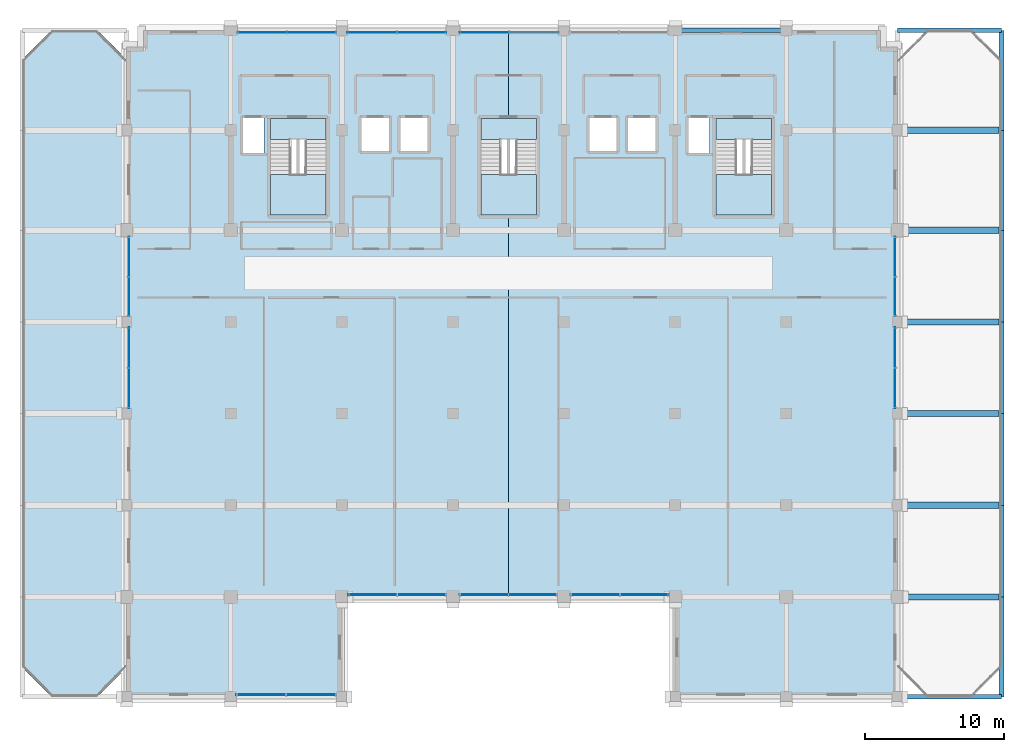
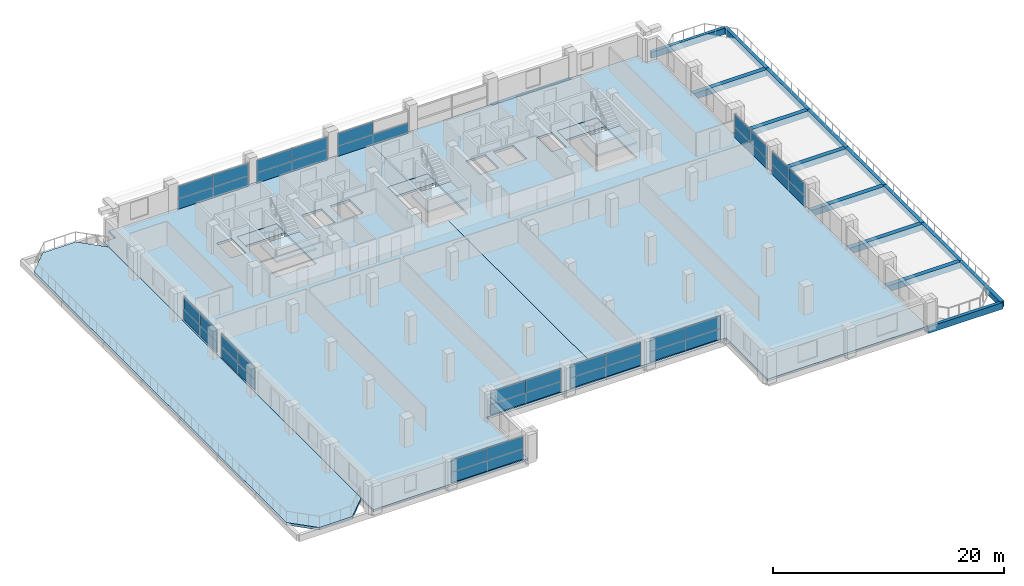
# One storey, part 16 of 22: 32 plates, 16 beams, 9 slabs, 14 elements without a shape of their own.
"""IFC4 building model written with IfcOpenShell, lengths in metres."""

from ifc_helpers import new_model, si_unit, direction, frame, origin, origin_2d, place, context, subcontext, project, spatial, polyline, rectangle, outline, extrude, material, layer, layer_set, material_profile, profile_set, type_object, element, aggregate, save


model = new_model("IFC4")

# Units and contexts
model_context = context("Model", 3, precision=1e-05, world=origin(), true_north=direction((0.0, 1.0)))
body_context = subcontext(model_context, "Body", "Model", "MODEL_VIEW")
ifc_project = project(units=[si_unit("LENGTHUNIT", "METRE"), si_unit("AREAUNIT", "SQUARE_METRE"), si_unit("VOLUMEUNIT", "CUBIC_METRE"), si_unit("PLANEANGLEUNIT", "RADIAN"), si_unit("MASSUNIT", "GRAM", prefix="KILO")], contexts=[model_context])

# Site, building, storey
site_placement = place(None, origin())
site = spatial("IfcSite", under=ifc_project, at=site_placement, CompositionType="ELEMENT")
building_placement = place(site_placement, origin())
building = spatial("IfcBuilding", under=site, at=building_placement, Name="Akrevak Sports Hall", CompositionType="ELEMENT")
storey_placement = place(building_placement, frame((0.0, 0.0, 40.550048828125)))
storey = spatial("IfcBuildingStorey", under=building, at=storey_placement, Name="L09", CompositionType="ELEMENT", Elevation=40.550048828125)

# Beams
ifc_material_1 = material(Name="Concrete C40/50", Category="concrete")
ifc_material_profile_1 = material_profile(ifc_material_1, rectangle(XDim=0.35009765625, YDim=0.60009765625, at=origin_2d()), Name="BM 350x600", Category="concrete")
ifc_profile_set_1 = profile_set([ifc_material_profile_1], Name="Concrete C40/50")
beam_type_1 = type_object("IfcBeamType", Name="STR-BM-RC350x600", PredefinedType="BEAM", material=ifc_profile_set_1)
beam_1_placement = place(storey_placement, frame((115.5, 21.60009765625, -0.300048828125), z_axis=(0.0, 1.0, 0.0), x_axis=(-1.0, 0.0, 0.0)))
element("IfcBeam", 1, at=beam_1_placement, inside=storey, type_object=beam_type_1, Name="Girder 16/D-E (L09)", PredefinedType="BEAM", context=body_context, shape_type="SweptSolid", body=[
    extrude(rectangle(XDim=0.35009765625, YDim=0.60009765625, at=origin_2d()), origin(), (0.0, 0.0, 1.0), 7.199951171875),
])
beam_2_placement = place(storey_placement, frame((115.5, 28.800048828125, -0.300048828125), z_axis=(0.0, 1.0, 0.0), x_axis=(-1.0, 0.0, 0.0)))
element("IfcBeam", 2, at=beam_2_placement, inside=storey, type_object=beam_type_1, Name="Girder 16/E-F (L09)", PredefinedType="BEAM", context=body_context, shape_type="SweptSolid", body=[
    extrude(rectangle(XDim=0.35009765625, YDim=0.60009765625, at=origin_2d()), origin(), (0.0, 0.0, 1.0), 6.599853515625),
])
for number, where, z_axis, x_axis, name in (
    (3, (115.5, 35.39990234375, -0.300048828125), (0.0, 1.0, 0.0), (-1.0, 0.0, 0.0), "Girder 16/F-G (L09)"),
    (4, (115.5, 42.0, -0.300048828125), (0.0, 1.0, 0.0), (-1.0, 0.0, 0.0), "Girder 16/G-H (L09)"),
):
    element("IfcBeam", number, at=place(storey_placement, frame(where, z_axis=z_axis, x_axis=x_axis)), inside=storey, type_object=beam_type_1, Name=name, PredefinedType="BEAM", context=body_context, shape_type="SweptSolid", body=[
        extrude(rectangle(XDim=0.35009765625, YDim=0.60009765625, at=origin_2d()), origin(), (0.0, 0.0, 1.0), 6.60009765625),
    ])
beam_3_placement = place(storey_placement, frame((115.5, 48.60009765625, -0.300048828125), z_axis=(0.0, 1.0, 0.0), x_axis=(-1.0, 0.0, 0.0)))
element("IfcBeam", 5, at=beam_3_placement, inside=storey, type_object=beam_type_1, Name="Girder 16/H-I (L09)", PredefinedType="BEAM", context=body_context, shape_type="SweptSolid", body=[
    extrude(rectangle(XDim=0.35009765625, YDim=0.60009765625, at=origin_2d()), origin(), (0.0, 0.0, 1.0), 6.599853515625),
])
beam_4_placement = place(storey_placement, frame((115.5, 55.199951171875, -0.300048828125), z_axis=(0.0, 1.0, 0.0), x_axis=(-1.0, 0.0, 0.0)))
element("IfcBeam", 6, at=beam_4_placement, inside=storey, type_object=beam_type_1, Name="Girder 16/I-J (L09)", PredefinedType="BEAM", context=body_context, shape_type="SweptSolid", body=[
    extrude(rectangle(XDim=0.35009765625, YDim=0.60009765625, at=origin_2d()), origin(), (0.0, 0.0, 1.0), 7.199951171875),
])
beam_5_placement = place(storey_placement, frame((115.5, 62.39990234375, -0.300048828125), z_axis=(0.0, 1.0, 0.0), x_axis=(-1.0, 0.0, 0.0)))
element("IfcBeam", 7, at=beam_5_placement, inside=storey, type_object=beam_type_1, Name="Girder 16/J-K (L09)", PredefinedType="BEAM", context=body_context, shape_type="SweptSolid", body=[
    extrude(rectangle(XDim=0.35009765625, YDim=0.60009765625, at=origin_2d()), origin(), (0.0, 0.0, 1.0), 7.2001953125),
])
ifc_material_profile_2 = material_profile(ifc_material_1, rectangle(XDim=0.449951171875, YDim=0.64990234375, at=origin_2d()), Name="BM 450x650", Category="concrete")
ifc_profile_set_2 = profile_set([ifc_material_profile_2], Name="Concrete C40/50")
beam_type_2 = type_object("IfcBeamType", Name="STR-BM-RC450x650", PredefinedType="BEAM", material=ifc_profile_set_2)
for number, where, z_axis, x_axis, name in (
    (8, (108.0, 28.800048828125, -0.324951171875), (1.0, 0.0, 0.0), (0.0, 1.0, 0.0), "Girder E/15-16 (L09)"),
    (9, (108.0, 35.39990234375, -0.324951171875), (1.0, 0.0, 0.0), (0.0, 1.0, 0.0), "Girder F/15-16 (L09)"),
    (10, (108.0, 42.0, -0.324951171875), (1.0, 0.0, 0.0), (0.0, 1.0, 0.0), "Girder G/15-16 (L09)"),
    (11, (108.0, 48.60009765625, -0.324951171875), (1.0, 0.0, 0.0), (0.0, 1.0, 0.0), "Girder H/15-16 (L09)"),
    (12, (108.0, 55.199951171875, -0.324951171875), (1.0, 0.0, 0.0), (0.0, 1.0, 0.0), "Girder I/15-16 (L09)"),
    (13, (108.0, 62.39990234375, -0.324951171875), (1.0, 0.0, 0.0), (0.0, 1.0, 0.0), "Girder J/15-16 (L09)"),
):
    element("IfcBeam", number, at=place(storey_placement, frame(where, z_axis=z_axis, x_axis=x_axis)), inside=storey, type_object=beam_type_2, Name=name, PredefinedType="BEAM", context=body_context, shape_type="SweptSolid", body=[
        extrude(rectangle(XDim=0.449951171875, YDim=0.64990234375, at=origin_2d()), origin(), (0.0, 0.0, 1.0), 7.5),
    ])
ifc_material_profile_3 = material_profile(ifc_material_1, rectangle(XDim=0.320068359375, YDim=0.679931640625, at=origin_2d()), Name="SPD 320x680", Category="concrete")
ifc_profile_set_3 = profile_set([ifc_material_profile_3], Name="Concrete C40/50")
beam_type_3 = type_object("IfcBeamType", Name="STR-SPD-RC320x680", PredefinedType="SPANDREL", material=ifc_profile_set_3)
beam_6_placement = place(storey_placement, frame((108.0, 21.60009765625, -0.340087890625), z_axis=(1.0, 0.0, 0.0), x_axis=(0.0, 1.0, 0.0)))
element("IfcBeam", 14, at=beam_6_placement, inside=storey, type_object=beam_type_3, Name="Girder D/15-16 (L09)", PredefinedType="SPANDREL", context=body_context, shape_type="SweptSolid", body=[
    extrude(rectangle(XDim=0.320068359375, YDim=0.679931640625, at=origin_2d()), origin(), (0.0, 0.0, 1.0), 7.5),
])
beam_7_placement = place(storey_placement, frame((92.0, 69.60009765625, -0.340087890625), z_axis=(1.0, 0.0, 0.0), x_axis=(0.0, 1.0, 0.0)))
element("IfcBeam", 15, at=beam_7_placement, inside=storey, type_object=beam_type_3, Name="Girder K/13-14 (L09)", PredefinedType="SPANDREL", context=body_context, shape_type="SweptSolid", body=[
    extrude(rectangle(XDim=0.320068359375, YDim=0.679931640625, at=origin_2d()), origin(), (0.0, 0.0, 1.0), 8.0),
])
beam_8_placement = place(storey_placement, frame((108.0, 69.60009765625, -0.340087890625), z_axis=(1.0, 0.0, 0.0), x_axis=(0.0, 1.0, 0.0)))
element("IfcBeam", 16, at=beam_8_placement, inside=storey, type_object=beam_type_3, Name="Girder K/15-16 (L09)", PredefinedType="SPANDREL", context=body_context, shape_type="SweptSolid", body=[
    extrude(rectangle(XDim=0.320068359375, YDim=0.679931640625, at=origin_2d()), origin(), (0.0, 0.0, 1.0), 7.5),
])

# Curtain wall, plates
ifc_material_2 = material(Name="Anodized Bronze Aluminium & Low-E Glass", Category="aluminium")
curtain_wall_type = type_object("IfcCurtainWallType", Name="ARC-CW-TWR-68x30", PredefinedType="NOTDEFINED", material=ifc_material_2)
curtain_wall_1_placement = place(storey_placement, origin())
curtain_wall_1 = element("IfcCurtainWall", 17, at=curtain_wall_1_placement, inside=storey, type_object=curtain_wall_type, Name="Curtain Wall CW-L09-S02", PredefinedType="NOTDEFINED")
ifc_material_3 = material(Name="Double Low-E Tempered Glass", Category="glass")
ifc_layer_1 = layer(ifc_material_3, 0.031982421875, Name="Double Low-E Tempered Glass")
ifc_layer_set_1 = layer_set([ifc_layer_1], Name="Double Low-E Tempered Glass")
plate_type_1 = type_object("IfcPlateType", Name="ARC-CWP-GLZ-32", PredefinedType="CURTAIN_PANEL", material=ifc_layer_set_1)
plate_1_placement = place(storey_placement, frame((62.199951171875, 21.760009765625, 1.099853515625), z_axis=(0.0, 0.0, 1.0), x_axis=(1.0, 0.0, 0.0)))
plate_1 = element("IfcPlate", 18, at=plate_1_placement, type_object=plate_type_1, Name="Vision Glass Panel CW-L09-S02-G1", PredefinedType="CURTAIN_PANEL", context=body_context, shape_type="SweptSolid", body=[
    extrude(rectangle(XDim=3.60009765625, YDim=0.035888671875, at=origin_2d()), origin(), (0.0, 0.0, 1.0), 1.35009765625),
])
plate_2_placement = place(storey_placement, frame((65.800048828125, 21.760009765625, 1.099853515625), z_axis=(0.0, 0.0, 1.0), x_axis=(1.0, 0.0, 0.0)))
plate_2 = element("IfcPlate", 19, at=plate_2_placement, type_object=plate_type_1, Name="Vision Glass Panel CW-L09-S02-G2", PredefinedType="CURTAIN_PANEL", context=body_context, shape_type="SweptSolid", body=[
    extrude(rectangle(XDim=3.60009765625, YDim=0.035888671875, at=origin_2d()), origin(), (0.0, 0.0, 1.0), 1.35009765625),
])

curtain_wall_2_placement = place(storey_placement, origin())
curtain_wall_2 = element("IfcCurtainWall", 20, at=curtain_wall_2_placement, inside=storey, type_object=curtain_wall_type, Name="Curtain Wall CW-L09-S04", PredefinedType="NOTDEFINED")
plate_3_placement = place(storey_placement, frame((70.237548828125, 28.9599609375, 1.099853515625), z_axis=(0.0, 0.0, 1.0), x_axis=(1.0, 0.0, 0.0)))
plate_3 = element("IfcPlate", 21, at=plate_3_placement, type_object=plate_type_1, Name="Vision Glass Panel CW-L09-S04-G1", PredefinedType="CURTAIN_PANEL", context=body_context, shape_type="SweptSolid", body=[
    extrude(rectangle(XDim=3.52490234375, YDim=0.035888671875, at=origin_2d()), origin(), (0.0, 0.0, 1.0), 1.35009765625),
])
plate_4_placement = place(storey_placement, frame((73.762451171875, 28.9599609375, 1.099853515625), z_axis=(0.0, 0.0, 1.0), x_axis=(1.0, 0.0, 0.0)))
plate_4 = element("IfcPlate", 22, at=plate_4_placement, type_object=plate_type_1, Name="Vision Glass Panel CW-L09-S04-G2", PredefinedType="CURTAIN_PANEL", context=body_context, shape_type="SweptSolid", body=[
    extrude(rectangle(XDim=3.52490234375, YDim=0.035888671875, at=origin_2d()), origin(), (0.0, 0.0, 1.0), 1.35009765625),
])

curtain_wall_3_placement = place(storey_placement, origin())
curtain_wall_3 = element("IfcCurtainWall", 23, at=curtain_wall_3_placement, inside=storey, type_object=curtain_wall_type, Name="Curtain Wall CW-L09-S05", PredefinedType="NOTDEFINED")
plate_5_placement = place(storey_placement, frame((78.237548828125, 28.9599609375, 1.099853515625), z_axis=(0.0, 0.0, 1.0), x_axis=(1.0, 0.0, 0.0)))
plate_5 = element("IfcPlate", 24, at=plate_5_placement, type_object=plate_type_1, Name="Vision Glass Panel CW-L09-S05-G1", PredefinedType="CURTAIN_PANEL", context=body_context, shape_type="SweptSolid", body=[
    extrude(rectangle(XDim=3.52490234375, YDim=0.035888671875, at=origin_2d()), origin(), (0.0, 0.0, 1.0), 1.35009765625),
])
plate_6_placement = place(storey_placement, frame((81.762451171875, 28.9599609375, 1.099853515625), z_axis=(0.0, 0.0, 1.0), x_axis=(1.0, 0.0, 0.0)))
plate_6 = element("IfcPlate", 25, at=plate_6_placement, type_object=plate_type_1, Name="Vision Glass Panel CW-L09-S05-G2", PredefinedType="CURTAIN_PANEL", context=body_context, shape_type="SweptSolid", body=[
    extrude(rectangle(XDim=3.52490234375, YDim=0.035888671875, at=origin_2d()), origin(), (0.0, 0.0, 1.0), 1.35009765625),
])

curtain_wall_4_placement = place(storey_placement, origin())
curtain_wall_4 = element("IfcCurtainWall", 26, at=curtain_wall_4_placement, inside=storey, type_object=curtain_wall_type, Name="Curtain Wall CW-L09-S06", PredefinedType="NOTDEFINED")
plate_7_placement = place(storey_placement, frame((86.237548828125, 28.9599609375, 1.099853515625), z_axis=(0.0, 0.0, 1.0), x_axis=(1.0, 0.0, 0.0)))
plate_7 = element("IfcPlate", 27, at=plate_7_placement, type_object=plate_type_1, Name="Vision Glass Panel CW-L09-S06-G1", PredefinedType="CURTAIN_PANEL", context=body_context, shape_type="SweptSolid", body=[
    extrude(rectangle(XDim=3.52490234375, YDim=0.035888671875, at=origin_2d()), origin(), (0.0, 0.0, 1.0), 1.35009765625),
])
plate_8_placement = place(storey_placement, frame((89.762451171875, 28.9599609375, 1.099853515625), z_axis=(0.0, 0.0, 1.0), x_axis=(1.0, 0.0, 0.0)))
plate_8 = element("IfcPlate", 28, at=plate_8_placement, type_object=plate_type_1, Name="Vision Glass Panel CW-L09-S06-G2", PredefinedType="CURTAIN_PANEL", context=body_context, shape_type="SweptSolid", body=[
    extrude(rectangle(XDim=3.52490234375, YDim=0.035888671875, at=origin_2d()), origin(), (0.0, 0.0, 1.0), 1.35009765625),
])

curtain_wall_5_placement = place(storey_placement, origin())
curtain_wall_5 = element("IfcCurtainWall", 29, at=curtain_wall_5_placement, inside=storey, type_object=curtain_wall_type, Name="Curtain Wall CW-L09-E13", PredefinedType="NOTDEFINED")
plate_9_placement = place(storey_placement, frame((107.840087890625, 43.85009765625, 1.099853515625), z_axis=(0.0, 0.0, 1.0), x_axis=(0.0, 1.0, 0.0)))
plate_9 = element("IfcPlate", 30, at=plate_9_placement, type_object=plate_type_1, Name="Vision Glass Panel CW-L09-E13-G1", PredefinedType="CURTAIN_PANEL", context=body_context, shape_type="SweptSolid", body=[
    extrude(rectangle(XDim=2.89990234375, YDim=0.035888671875, at=origin_2d()), origin(), (0.0, 0.0, 1.0), 1.35009765625),
])
plate_10_placement = place(storey_placement, frame((107.840087890625, 46.75, 1.099853515625), z_axis=(0.0, 0.0, 1.0), x_axis=(0.0, 1.0, 0.0)))
plate_10 = element("IfcPlate", 31, at=plate_10_placement, type_object=plate_type_1, Name="Vision Glass Panel CW-L09-E13-G2", PredefinedType="CURTAIN_PANEL", context=body_context, shape_type="SweptSolid", body=[
    extrude(rectangle(XDim=2.89990234375, YDim=0.035888671875, at=origin_2d()), origin(), (0.0, 0.0, 1.0), 1.35009765625),
])

curtain_wall_6_placement = place(storey_placement, origin())
curtain_wall_6 = element("IfcCurtainWall", 32, at=curtain_wall_6_placement, inside=storey, type_object=curtain_wall_type, Name="Curtain Wall CW-L09-E14", PredefinedType="NOTDEFINED")
plate_11_placement = place(storey_placement, frame((107.840087890625, 50.43115234375, 1.099853515625), z_axis=(0.0, 0.0, 1.0), x_axis=(0.0, 1.0, 0.0)))
plate_11 = element("IfcPlate", 33, at=plate_11_placement, type_object=plate_type_1, Name="Vision Glass Panel CW-L09-E14-G1", PredefinedType="CURTAIN_PANEL", context=body_context, shape_type="SweptSolid", body=[
    extrude(rectangle(XDim=2.862548828125, YDim=0.035888671875, at=origin_2d()), origin(), (0.0, 0.0, 1.0), 1.35009765625),
])
plate_12_placement = place(storey_placement, frame((107.840087890625, 53.293701171875, 1.099853515625), z_axis=(0.0, 0.0, 1.0), x_axis=(0.0, 1.0, 0.0)))
plate_12 = element("IfcPlate", 34, at=plate_12_placement, type_object=plate_type_1, Name="Vision Glass Panel CW-L09-E14-G2", PredefinedType="CURTAIN_PANEL", context=body_context, shape_type="SweptSolid", body=[
    extrude(rectangle(XDim=2.862548828125, YDim=0.035888671875, at=origin_2d()), origin(), (0.0, 0.0, 1.0), 1.35009765625),
])

# Curtain wall, plate
curtain_wall_7_placement = place(storey_placement, origin())
curtain_wall_7 = element("IfcCurtainWall", 35, at=curtain_wall_7_placement, inside=storey, type_object=curtain_wall_type, Name="Curtain Wall CW-L09-N22", PredefinedType="NOTDEFINED")
plate_13_placement = place(storey_placement, frame((78.27490234375, 69.43994140625, 1.099853515625), z_axis=(0.0, 0.0, 1.0), x_axis=(-1.0, 0.0, 0.0)))
plate_13 = element("IfcPlate", 36, at=plate_13_placement, type_object=plate_type_1, Name="Vision Glass Panel CW-L09-N22-G2", PredefinedType="CURTAIN_PANEL", context=body_context, shape_type="SweptSolid", body=[
    extrude(rectangle(XDim=3.550048828125, YDim=0.035888671875, at=origin_2d()), origin(), (0.0, 0.0, 1.0), 1.35009765625),
])

# Curtain wall, plates
curtain_wall_8_placement = place(storey_placement, origin())
curtain_wall_8 = element("IfcCurtainWall", 37, at=curtain_wall_8_placement, inside=storey, type_object=curtain_wall_type, Name="Curtain Wall CW-L09-N23", PredefinedType="NOTDEFINED")
plate_14_placement = place(storey_placement, frame((73.72509765625, 69.43994140625, 1.099853515625), z_axis=(0.0, 0.0, 1.0), x_axis=(-1.0, 0.0, 0.0)))
plate_14 = element("IfcPlate", 38, at=plate_14_placement, type_object=plate_type_1, Name="Vision Glass Panel CW-L09-N23-G1", PredefinedType="CURTAIN_PANEL", context=body_context, shape_type="SweptSolid", body=[
    extrude(rectangle(XDim=3.550048828125, YDim=0.035888671875, at=origin_2d()), origin(), (0.0, 0.0, 1.0), 1.35009765625),
])
plate_15_placement = place(storey_placement, frame((70.175048828125, 69.43994140625, 1.099853515625), z_axis=(0.0, 0.0, 1.0), x_axis=(-1.0, 0.0, 0.0)))
plate_15 = element("IfcPlate", 39, at=plate_15_placement, type_object=plate_type_1, Name="Vision Glass Panel CW-L09-N23-G2", PredefinedType="CURTAIN_PANEL", context=body_context, shape_type="SweptSolid", body=[
    extrude(rectangle(XDim=3.550048828125, YDim=0.035888671875, at=origin_2d()), origin(), (0.0, 0.0, 1.0), 1.35009765625),
])

curtain_wall_9_placement = place(storey_placement, origin())
curtain_wall_9 = element("IfcCurtainWall", 40, at=curtain_wall_9_placement, inside=storey, type_object=curtain_wall_type, Name="Curtain Wall CW-L09-N24", PredefinedType="NOTDEFINED")
plate_16_placement = place(storey_placement, frame((65.824951171875, 69.43994140625, 1.099853515625), z_axis=(0.0, 0.0, 1.0), x_axis=(-1.0, 0.0, 0.0)))
plate_16 = element("IfcPlate", 41, at=plate_16_placement, type_object=plate_type_1, Name="Vision Glass Panel CW-L09-N24-G1", PredefinedType="CURTAIN_PANEL", context=body_context, shape_type="SweptSolid", body=[
    extrude(rectangle(XDim=3.550048828125, YDim=0.035888671875, at=origin_2d()), origin(), (0.0, 0.0, 1.0), 1.35009765625),
])
plate_17_placement = place(storey_placement, frame((62.27490234375, 69.43994140625, 1.099853515625), z_axis=(0.0, 0.0, 1.0), x_axis=(-1.0, 0.0, 0.0)))
plate_17 = element("IfcPlate", 42, at=plate_17_placement, type_object=plate_type_1, Name="Vision Glass Panel CW-L09-N24-G2", PredefinedType="CURTAIN_PANEL", context=body_context, shape_type="SweptSolid", body=[
    extrude(rectangle(XDim=3.550048828125, YDim=0.035888671875, at=origin_2d()), origin(), (0.0, 0.0, 1.0), 1.35009765625),
])

curtain_wall_10_placement = place(storey_placement, origin())
curtain_wall_10 = element("IfcCurtainWall", 43, at=curtain_wall_10_placement, inside=storey, type_object=curtain_wall_type, Name="Curtain Wall CW-L09-W30", PredefinedType="NOTDEFINED")
plate_18_placement = place(storey_placement, frame((52.659912109375, 53.293701171875, 1.099853515625), z_axis=(0.0, 0.0, 1.0), x_axis=(0.0, -1.0, 0.0)))
plate_18 = element("IfcPlate", 44, at=plate_18_placement, type_object=plate_type_1, Name="Vision Glass Panel CW-L09-W30-G1", PredefinedType="CURTAIN_PANEL", context=body_context, shape_type="SweptSolid", body=[
    extrude(rectangle(XDim=2.862548828125, YDim=0.035888671875, at=origin_2d()), origin(), (0.0, 0.0, 1.0), 1.35009765625),
])
plate_19_placement = place(storey_placement, frame((52.659912109375, 50.43115234375, 1.099853515625), z_axis=(0.0, 0.0, 1.0), x_axis=(0.0, -1.0, 0.0)))
plate_19 = element("IfcPlate", 45, at=plate_19_placement, type_object=plate_type_1, Name="Vision Glass Panel CW-L09-W30-G2", PredefinedType="CURTAIN_PANEL", context=body_context, shape_type="SweptSolid", body=[
    extrude(rectangle(XDim=2.862548828125, YDim=0.035888671875, at=origin_2d()), origin(), (0.0, 0.0, 1.0), 1.35009765625),
])

curtain_wall_11_placement = place(storey_placement, origin())
curtain_wall_11 = element("IfcCurtainWall", 46, at=curtain_wall_11_placement, inside=storey, type_object=curtain_wall_type, Name="Curtain Wall CW-L09-W31", PredefinedType="NOTDEFINED")
plate_20_placement = place(storey_placement, frame((52.659912109375, 46.75, 1.099853515625), z_axis=(0.0, 0.0, 1.0), x_axis=(0.0, -1.0, 0.0)))
plate_20 = element("IfcPlate", 47, at=plate_20_placement, type_object=plate_type_1, Name="Vision Glass Panel CW-L09-W31-G1", PredefinedType="CURTAIN_PANEL", context=body_context, shape_type="SweptSolid", body=[
    extrude(rectangle(XDim=2.89990234375, YDim=0.035888671875, at=origin_2d()), origin(), (0.0, 0.0, 1.0), 1.35009765625),
])
plate_21_placement = place(storey_placement, frame((52.659912109375, 43.85009765625, 1.099853515625), z_axis=(0.0, 0.0, 1.0), x_axis=(0.0, -1.0, 0.0)))
plate_21 = element("IfcPlate", 48, at=plate_21_placement, type_object=plate_type_1, Name="Vision Glass Panel CW-L09-W31-G2", PredefinedType="CURTAIN_PANEL", context=body_context, shape_type="SweptSolid", body=[
    extrude(rectangle(XDim=2.89990234375, YDim=0.035888671875, at=origin_2d()), origin(), (0.0, 0.0, 1.0), 1.35009765625),
])

# Plate
ifc_material_4 = material(Name="Insulated Bronze Spandrel Panel", Category="aluminium")
ifc_layer_2 = layer(ifc_material_4, 0.0400390625, Name="Insulated Bronze Spandrel Panel")
ifc_layer_set_2 = layer_set([ifc_layer_2], Name="Insulated Bronze Spandrel Panel")
plate_type_2 = type_object("IfcPlateType", Name="ARC-CWP-SPD-40", PredefinedType="CURTAIN_PANEL", material=ifc_layer_set_2)
plate_22_placement = place(storey_placement, frame((64.0, 21.760009765625, 0.0), z_axis=(0.0, 0.0, 1.0), x_axis=(1.0, 0.0, 0.0)))
plate_22 = element("IfcPlate", 49, at=plate_22_placement, type_object=plate_type_2, Name="Insulated Spandrel Panel CW-L09-S02-S1", PredefinedType="CURTAIN_PANEL", context=body_context, shape_type="SweptSolid", body=[
    extrude(rectangle(XDim=7.199951171875, YDim=0.0439453125, at=origin_2d()), origin(), (0.0, 0.0, 1.0), 1.10009765625),
])

aggregate(curtain_wall_1, [plate_1, plate_2, plate_22])

plate_23_placement = place(storey_placement, frame((72.0, 28.9599609375, 0.0), z_axis=(0.0, 0.0, 1.0), x_axis=(1.0, 0.0, 0.0)))
plate_23 = element("IfcPlate", 50, at=plate_23_placement, type_object=plate_type_2, Name="Insulated Spandrel Panel CW-L09-S04-S1", PredefinedType="CURTAIN_PANEL", context=body_context, shape_type="SweptSolid", body=[
    extrude(rectangle(XDim=7.050048828125, YDim=0.0439453125, at=origin_2d()), origin(), (0.0, 0.0, 1.0), 1.10009765625),
])

aggregate(curtain_wall_2, [plate_3, plate_4, plate_23])

plate_24_placement = place(storey_placement, frame((80.0, 28.9599609375, 0.0), z_axis=(0.0, 0.0, 1.0), x_axis=(1.0, 0.0, 0.0)))
plate_24 = element("IfcPlate", 51, at=plate_24_placement, type_object=plate_type_2, Name="Insulated Spandrel Panel CW-L09-S05-S1", PredefinedType="CURTAIN_PANEL", context=body_context, shape_type="SweptSolid", body=[
    extrude(rectangle(XDim=7.050048828125, YDim=0.0439453125, at=origin_2d()), origin(), (0.0, 0.0, 1.0), 1.10009765625),
])

aggregate(curtain_wall_3, [plate_5, plate_6, plate_24])

plate_25_placement = place(storey_placement, frame((88.0, 28.9599609375, 0.0), z_axis=(0.0, 0.0, 1.0), x_axis=(1.0, 0.0, 0.0)))
plate_25 = element("IfcPlate", 52, at=plate_25_placement, type_object=plate_type_2, Name="Insulated Spandrel Panel CW-L09-S06-S1", PredefinedType="CURTAIN_PANEL", context=body_context, shape_type="SweptSolid", body=[
    extrude(rectangle(XDim=7.050048828125, YDim=0.0439453125, at=origin_2d()), origin(), (0.0, 0.0, 1.0), 1.10009765625),
])

aggregate(curtain_wall_4, [plate_7, plate_8, plate_25])

plate_26_placement = place(storey_placement, frame((107.840087890625, 45.300048828125, 0.0), z_axis=(0.0, 0.0, 1.0), x_axis=(0.0, 1.0, 0.0)))
plate_26 = element("IfcPlate", 53, at=plate_26_placement, type_object=plate_type_2, Name="Insulated Spandrel Panel CW-L09-E13-S1", PredefinedType="CURTAIN_PANEL", context=body_context, shape_type="SweptSolid", body=[
    extrude(rectangle(XDim=5.800048828125, YDim=0.0439453125, at=origin_2d()), origin(), (0.0, 0.0, 1.0), 1.10009765625),
])

aggregate(curtain_wall_5, [plate_9, plate_10, plate_26])

plate_27_placement = place(storey_placement, frame((107.840087890625, 51.862548828125, 0.0), z_axis=(0.0, 0.0, 1.0), x_axis=(0.0, 1.0, 0.0)))
plate_27 = element("IfcPlate", 54, at=plate_27_placement, type_object=plate_type_2, Name="Insulated Spandrel Panel CW-L09-E14-S1", PredefinedType="CURTAIN_PANEL", context=body_context, shape_type="SweptSolid", body=[
    extrude(rectangle(XDim=5.72509765625, YDim=0.0439453125, at=origin_2d()), origin(), (0.0, 0.0, 1.0), 1.10009765625),
])

aggregate(curtain_wall_6, [plate_11, plate_12, plate_27])

plate_28_placement = place(storey_placement, frame((80.050048828125, 69.43994140625, 0.0), z_axis=(0.0, 0.0, 1.0), x_axis=(-1.0, 0.0, 0.0)))
plate_28 = element("IfcPlate", 55, at=plate_28_placement, type_object=plate_type_2, Name="Insulated Spandrel Panel CW-L09-N22-S1", PredefinedType="CURTAIN_PANEL", context=body_context, shape_type="SweptSolid", body=[
    extrude(rectangle(XDim=7.10009765625, YDim=0.0439453125, at=origin_2d()), origin(), (0.0, 0.0, 1.0), 1.10009765625),
])

aggregate(curtain_wall_7, [plate_13, plate_28])

plate_29_placement = place(storey_placement, frame((71.949951171875, 69.43994140625, 0.0), z_axis=(0.0, 0.0, 1.0), x_axis=(-1.0, 0.0, 0.0)))
plate_29 = element("IfcPlate", 56, at=plate_29_placement, type_object=plate_type_2, Name="Insulated Spandrel Panel CW-L09-N23-S1", PredefinedType="CURTAIN_PANEL", context=body_context, shape_type="SweptSolid", body=[
    extrude(rectangle(XDim=7.10009765625, YDim=0.0439453125, at=origin_2d()), origin(), (0.0, 0.0, 1.0), 1.10009765625),
])

aggregate(curtain_wall_8, [plate_14, plate_15, plate_29])

plate_30_placement = place(storey_placement, frame((64.050048828125, 69.43994140625, 0.0), z_axis=(0.0, 0.0, 1.0), x_axis=(-1.0, 0.0, 0.0)))
plate_30 = element("IfcPlate", 57, at=plate_30_placement, type_object=plate_type_2, Name="Insulated Spandrel Panel CW-L09-N24-S1", PredefinedType="CURTAIN_PANEL", context=body_context, shape_type="SweptSolid", body=[
    extrude(rectangle(XDim=7.10009765625, YDim=0.0439453125, at=origin_2d()), origin(), (0.0, 0.0, 1.0), 1.10009765625),
])

aggregate(curtain_wall_9, [plate_16, plate_17, plate_30])

plate_31_placement = place(storey_placement, frame((52.659912109375, 51.862548828125, 0.0), z_axis=(0.0, 0.0, 1.0), x_axis=(0.0, -1.0, 0.0)))
plate_31 = element("IfcPlate", 58, at=plate_31_placement, type_object=plate_type_2, Name="Insulated Spandrel Panel CW-L09-W30-S1", PredefinedType="CURTAIN_PANEL", context=body_context, shape_type="SweptSolid", body=[
    extrude(rectangle(XDim=5.72509765625, YDim=0.0439453125, at=origin_2d()), origin(), (0.0, 0.0, 1.0), 1.10009765625),
])

aggregate(curtain_wall_10, [plate_18, plate_19, plate_31])

plate_32_placement = place(storey_placement, frame((52.659912109375, 45.300048828125, 0.0), z_axis=(0.0, 0.0, 1.0), x_axis=(0.0, -1.0, 0.0)))
plate_32 = element("IfcPlate", 59, at=plate_32_placement, type_object=plate_type_2, Name="Insulated Spandrel Panel CW-L09-W31-S1", PredefinedType="CURTAIN_PANEL", context=body_context, shape_type="SweptSolid", body=[
    extrude(rectangle(XDim=5.800048828125, YDim=0.0439453125, at=origin_2d()), origin(), (0.0, 0.0, 1.0), 1.10009765625),
])

aggregate(curtain_wall_11, [plate_20, plate_21, plate_32])

# Slabs
ifc_layer_3 = layer(ifc_material_1, 0.239990234375, Name="Concrete C40/50")
ifc_layer_set_3 = layer_set([ifc_layer_3], Name="Concrete C40/50")
slab_type_1 = type_object("IfcSlabType", Name="STR-SLB-FLR-240", PredefinedType="FLOOR", material=ifc_layer_set_3)
slab_1_placement = place(storey_placement, frame((0.0, 0.0, -0.239990234375)))
element("IfcSlab", 60, at=slab_1_placement, inside=storey, type_object=slab_type_1, Name="Structural Floor Slab L09-1.1", PredefinedType="FLOOR", context=body_context, shape_type="SweptSolid", body=[
    extrude(outline(polyline([(52.5, 68.39990234375), (52.5, 21.60009765625), (68.0, 21.60009765625), (68.0, 28.800048828125), (80.0, 28.800048828125), (80.0, 56.300048828125), (78.0, 56.300048828125), (78.0, 63.25), (80.0, 63.25), (80.0, 69.60009765625), (53.699951171875, 69.60009765625), (53.699951171875, 68.39990234375), (52.5, 68.39990234375)]), holes=[polyline([(62.85009765625, 63.25), (66.85009765625, 63.25), (66.85009765625, 56.300048828125), (62.85009765625, 56.300048828125), (62.85009765625, 63.25)]), polyline([(60.8701171875, 63.280029296875), (62.3798828125, 63.280029296875), (62.3798828125, 60.77001953125), (60.8701171875, 60.77001953125), (60.8701171875, 63.280029296875)]), polyline([(69.419921875, 63.280029296875), (71.3798828125, 63.280029296875), (71.3798828125, 60.919921875), (69.419921875, 60.919921875), (69.419921875, 63.280029296875)]), polyline([(72.219970703125, 63.280029296875), (74.179931640625, 63.280029296875), (74.179931640625, 60.919921875), (72.219970703125, 60.919921875), (72.219970703125, 63.280029296875)])]), origin(), (0.0, 0.0, 1.0), 0.239990234375),
])
slab_2_placement = place(storey_placement, frame((0.0, 0.0, -0.239990234375)))
element("IfcSlab", 61, at=slab_2_placement, inside=storey, type_object=slab_type_1, Name="Structural Floor Slab L09-2.1", PredefinedType="FLOOR", context=body_context, shape_type="SweptSolid", body=[
    extrude(outline(polyline([(80.0, 69.60009765625), (80.0, 63.25), (82.0, 63.25), (82.0, 56.300048828125), (80.0, 56.300048828125), (80.0, 28.800048828125), (92.0, 28.800048828125), (92.0, 21.60009765625), (108.0, 21.60009765625), (108.0, 68.39990234375), (106.800048828125, 68.39990234375), (106.800048828125, 69.60009765625), (80.0, 69.60009765625)]), holes=[polyline([(94.949951171875, 63.25), (98.949951171875, 63.25), (98.949951171875, 56.300048828125), (94.949951171875, 56.300048828125), (94.949951171875, 63.25)]), polyline([(92.969970703125, 63.280029296875), (94.47998046875, 63.280029296875), (94.47998046875, 60.77001953125), (92.969970703125, 60.77001953125), (92.969970703125, 63.280029296875)]), polyline([(87.780029296875, 63.280029296875), (87.780029296875, 60.919921875), (85.820068359375, 60.919921875), (85.820068359375, 63.280029296875), (87.780029296875, 63.280029296875)]), polyline([(90.580078125, 63.280029296875), (90.580078125, 60.919921875), (88.6201171875, 60.919921875), (88.6201171875, 63.280029296875), (90.580078125, 63.280029296875)])]), origin(), (0.0, 0.0, 1.0), 0.239990234375),
])

# Stair, slab
stair_type = type_object("IfcStairType", Name="ARC-STR-DOG-325", PredefinedType="HALF_TURN_STAIR", material=ifc_material_1)
stair_1_placement = place(storey_placement, origin())
stair_1 = element("IfcStair", 62, at=stair_1_placement, inside=storey, type_object=stair_type, Name="Protected Exit Stair ST1 (L09 to L10)", PredefinedType="HALF_TURN_STAIR")
ifc_layer_4 = layer(ifc_material_1, 0.199951171875, Name="Concrete C40/50")
ifc_layer_set_4 = layer_set([ifc_layer_4], Name="Concrete C40/50")
slab_type_2 = type_object("IfcSlabType", Name="STR-SLB-LAND-200", PredefinedType="LANDING", material=ifc_layer_set_4)
slab_3_placement = place(storey_placement, frame((0.0, 0.0, 1.425048828125)))
slab_3 = element("IfcSlab", 63, at=slab_3_placement, type_object=slab_type_2, Name="Stair ST1 Half-Landing 1 (L09)", PredefinedType="LANDING", context=body_context, shape_type="SweptSolid", body=[
    extrude(outline(polyline([(62.85009765625, 56.300048828125), (66.85009765625, 56.300048828125), (66.85009765625, 59.215087890625), (62.85009765625, 59.215087890625), (62.85009765625, 56.300048828125)])), origin(), (0.0, 0.0, 1.0), 0.199951171875),
])
aggregate(stair_1, [slab_3])

stair_2_placement = place(storey_placement, origin())
stair_2 = element("IfcStair", 64, at=stair_2_placement, inside=storey, type_object=stair_type, Name="Protected Exit Stair ST2 (L09 to L10)", PredefinedType="HALF_TURN_STAIR")
slab_4_placement = place(storey_placement, frame((0.0, 0.0, 1.425048828125)))
slab_4 = element("IfcSlab", 65, at=slab_4_placement, type_object=slab_type_2, Name="Stair ST2 Half-Landing 1 (L09)", PredefinedType="LANDING", context=body_context, shape_type="SweptSolid", body=[
    extrude(outline(polyline([(94.949951171875, 56.300048828125), (98.949951171875, 56.300048828125), (98.949951171875, 59.215087890625), (94.949951171875, 59.215087890625), (94.949951171875, 56.300048828125)])), origin(), (0.0, 0.0, 1.0), 0.199951171875),
])
aggregate(stair_2, [slab_4])

stair_3_placement = place(storey_placement, origin())
stair_3 = element("IfcStair", 66, at=stair_3_placement, inside=storey, type_object=stair_type, Name="Protected Exit Stair ST3 (L09 to L10)", PredefinedType="HALF_TURN_STAIR")
slab_5_placement = place(storey_placement, frame((0.0, 0.0, 1.425048828125)))
slab_5 = element("IfcSlab", 67, at=slab_5_placement, type_object=slab_type_2, Name="Stair ST3 Half-Landing 1 (L09)", PredefinedType="LANDING", context=body_context, shape_type="SweptSolid", body=[
    extrude(outline(polyline([(78.0, 56.300048828125), (82.0, 56.300048828125), (82.0, 59.215087890625), (78.0, 59.215087890625), (78.0, 56.300048828125)])), origin(), (0.0, 0.0, 1.0), 0.199951171875),
])
aggregate(stair_3, [slab_5])

# Slabs
ifc_layer_5 = layer(ifc_material_1, 0.219970703125, Name="Concrete C40/50")
ifc_layer_set_5 = layer_set([ifc_layer_5], Name="Concrete C40/50")
slab_type_3 = type_object("IfcSlabType", Name="STR-SLB-LAND-220", PredefinedType="LANDING", material=ifc_layer_set_5)
slab_6_placement = place(storey_placement, frame((0.0, 0.0, -0.219970703125)))
element("IfcSlab", 68, at=slab_6_placement, inside=storey, type_object=slab_type_3, Name="Stair ST1 Floor Landing (L09)", PredefinedType="LANDING", context=body_context, shape_type="SweptSolid", body=[
    extrude(outline(polyline([(62.85009765625, 61.735107421875), (66.85009765625, 61.735107421875), (66.85009765625, 63.25), (62.85009765625, 63.25), (62.85009765625, 61.735107421875)])), origin(), (0.0, 0.0, 1.0), 0.219970703125),
])
slab_7_placement = place(storey_placement, frame((0.0, 0.0, -0.219970703125)))
element("IfcSlab", 69, at=slab_7_placement, inside=storey, type_object=slab_type_3, Name="Stair ST2 Floor Landing (L09)", PredefinedType="LANDING", context=body_context, shape_type="SweptSolid", body=[
    extrude(outline(polyline([(94.949951171875, 61.735107421875), (98.949951171875, 61.735107421875), (98.949951171875, 63.25), (94.949951171875, 63.25), (94.949951171875, 61.735107421875)])), origin(), (0.0, 0.0, 1.0), 0.219970703125),
])
slab_8_placement = place(storey_placement, frame((0.0, 0.0, -0.219970703125)))
element("IfcSlab", 70, at=slab_8_placement, inside=storey, type_object=slab_type_3, Name="Stair ST3 Floor Landing (L09)", PredefinedType="LANDING", context=body_context, shape_type="SweptSolid", body=[
    extrude(outline(polyline([(78.0, 61.735107421875), (82.0, 61.735107421875), (82.0, 63.25), (78.0, 63.25), (78.0, 61.735107421875)])), origin(), (0.0, 0.0, 1.0), 0.219970703125),
])
ifc_layer_6 = layer(ifc_material_1, 0.27001953125, Name="Concrete C40/50")
ifc_layer_set_6 = layer_set([ifc_layer_6], Name="Concrete C40/50")
slab_type_4 = type_object("IfcSlabType", Name="STR-SLB-TERR-270", PredefinedType="FLOOR", material=ifc_layer_set_6)
slab_9_placement = place(storey_placement, frame((0.0, 0.0, -0.27001953125)))
element("IfcSlab", 71, at=slab_9_placement, inside=storey, type_object=slab_type_4, Name="Mid-Tower West Setback Terrace", PredefinedType="FLOOR", context=body_context, shape_type="SweptSolid", body=[
    extrude(outline(polyline([(50.39990234375, 21.60009765625), (52.5, 23.699951171875), (52.5, 67.5), (50.39990234375, 69.60009765625), (47.10009765625, 69.60009765625), (45.0, 67.5), (45.0, 23.699951171875), (47.10009765625, 21.60009765625), (50.39990234375, 21.60009765625)])), origin(), (0.0, 0.0, 1.0), 0.27001953125),
])

save(model, "model.ifc")
